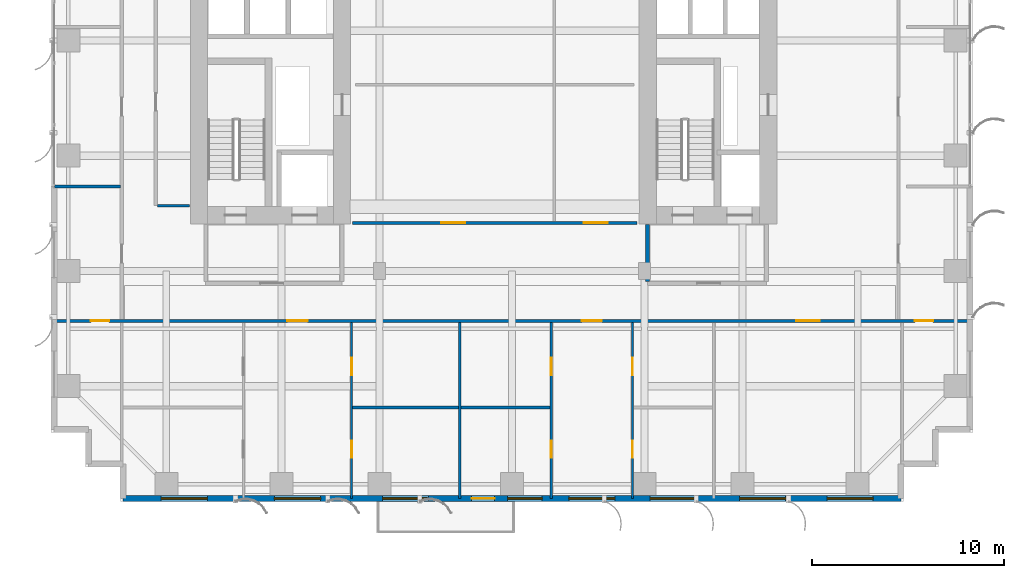
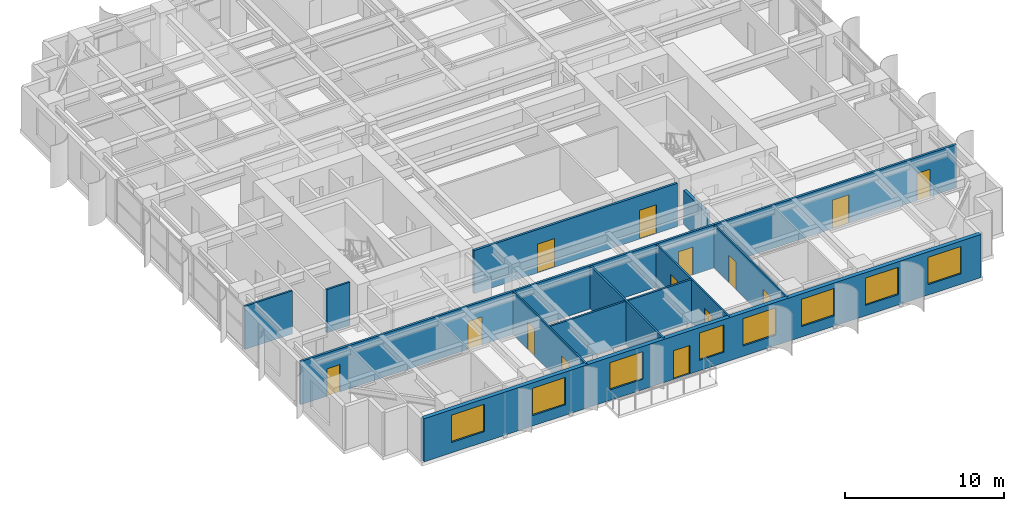
# One storey, part 10 of 18: 14 doors, 12 walls, 8 windows, 22 openings.
"""IFC4 building model written with IfcOpenShell, lengths in metres."""

from ifc_helpers import new_model, si_unit, direction, frame, frame_2d, origin, place, context, subcontext, project, spatial, rectangle, extrude, source, transform, mapped, material, layer, layer_set, type_object, element, fill, save


model = new_model("IFC4")

# Units and contexts
model_context = context("Model", 3, precision=1e-05, world=origin(), true_north=direction((0.0, 1.0)))
body_context = subcontext(model_context, "Body", "Model", "MODEL_VIEW")
ifc_project = project(units=[si_unit("LENGTHUNIT", "METRE"), si_unit("AREAUNIT", "SQUARE_METRE"), si_unit("VOLUMEUNIT", "CUBIC_METRE"), si_unit("PLANEANGLEUNIT", "RADIAN"), si_unit("MASSUNIT", "GRAM", prefix="KILO")], contexts=[model_context])

# Site, building, storey
site_placement = place(None, origin())
site = spatial("IfcSite", under=ifc_project, at=site_placement, CompositionType="ELEMENT")
building_placement = place(site_placement, origin())
building = spatial("IfcBuilding", under=site, at=building_placement, Name="Khoralis Quay Care Tower", CompositionType="ELEMENT")
storey_placement = place(building_placement, frame((0.0, 0.0, 47.699951171875)))
storey = spatial("IfcBuildingStorey", under=building, at=storey_placement, Name="L12", CompositionType="ELEMENT", Elevation=47.699951171875)

# Wall
ifc_material_1 = material(Name="Gypsum plasterboard on acoustic metal stud")
ifc_layer_1 = layer(ifc_material_1, 0.199951171875)
ifc_layer_set_1 = layer_set([ifc_layer_1], Name="Gypsum plasterboard on acoustic metal stud")
wall_type_1 = type_object("IfcWallType", Name="WL-COMP-200", PredefinedType="PARTITIONING", material=ifc_layer_set_1)
wall_1_placement = place(storey_placement, frame((31.050048828125, 11.445068359375, 0.0), z_axis=(0.0, 0.0, 1.0), x_axis=(0.0, 1.0, 0.0)))
element("IfcWall", 1, at=wall_1_placement, inside=storey, type_object=wall_type_1, Name="L12 East Firefighting Lobby West Wall", PredefinedType="PARTITIONING", context=body_context, shape_type="SweptSolid", body=[
    extrude(rectangle(XDim=2.98486328125, YDim=0.199951171875, at=frame_2d((1.492431640625, 0.0))), origin(), (0.0, 0.0, 1.0), 2.625),
])

# Wall, openings, doors
ifc_layer_2 = layer(ifc_material_1, 0.1650390625)
ifc_layer_set_2 = layer_set([ifc_layer_2], Name="Gypsum plasterboard on acoustic metal stud")
wall_type_2 = type_object("IfcWallType", Name="WL-CORR-165", PredefinedType="PARTITIONING", material=ifc_layer_set_2)
wall_2_placement = place(storey_placement, frame((0.14501953125, 9.39990234375, 0.0), z_axis=(0.0, 0.0, 1.0), x_axis=(1.0, 0.0, 0.0)))
wall_2 = element("IfcWall", 2, at=wall_2_placement, inside=storey, type_object=wall_type_2, Name="L12 South Main Corridor Wall", PredefinedType="PARTITIONING", context=body_context, shape_type="SweptSolid", body=[
    extrude(rectangle(XDim=47.7099609375, YDim=0.1650390625, at=frame_2d((23.85498046875, 0.0))), origin(), (0.0, 0.0, 1.0), 3.320068359375),
])
opening_1_placement = place(wall_2_placement, frame((12.162109375, 0.0, 0.0)))
opening_1 = element("IfcOpeningElement", 3, at=opening_1_placement, cuts=wall_2, Name="Opening UD1", PredefinedType="OPENING", context=body_context, shape_type="SweptSolid", body=[
    extrude(rectangle(XDim=1.050048828125, YDim=2.14990234375, at=frame_2d((0.52490234375, 1.074951171875))), frame((0.0, 0.092529296875, 0.0), z_axis=(0.0, -1.0, 0.0), x_axis=(1.0, 0.0, 0.0)), (0.0, 0.0, 1.0), 0.18505859375),
])
opening_2_placement = place(wall_2_placement, frame((27.489501953125, 0.0, 0.0)))
opening_2 = element("IfcOpeningElement", 4, at=opening_2_placement, cuts=wall_2, Name="Opening UD1", PredefinedType="OPENING", context=body_context, shape_type="SweptSolid", body=[
    extrude(rectangle(XDim=1.050048828125, YDim=2.14990234375, at=frame_2d((0.52490234375, 1.074951171875))), frame((0.0, 0.092529296875, 0.0), z_axis=(0.0, -1.0, 0.0), x_axis=(1.0, 0.0, 0.0)), (0.0, 0.0, 1.0), 0.18505859375),
])
opening_3_placement = place(wall_2_placement, frame((38.669921875, 0.0, 0.0)))
opening_3 = element("IfcOpeningElement", 5, at=opening_3_placement, cuts=wall_2, Name="Opening FD1", PredefinedType="OPENING", context=body_context, shape_type="SweptSolid", body=[
    extrude(rectangle(XDim=1.199951171875, YDim=2.199951171875, at=frame_2d((0.60009765625, 1.10009765625))), frame((0.0, 0.092529296875, 0.0), z_axis=(0.0, -1.0, 0.0), x_axis=(1.0, 0.0, 0.0)), (0.0, 0.0, 1.0), 0.18505859375),
])
opening_4_placement = place(wall_2_placement, frame((1.919921875, 0.0, 0.0)))
opening_4 = element("IfcOpeningElement", 6, at=opening_4_placement, cuts=wall_2, Name="Opening ID1", PredefinedType="OPENING", context=body_context, shape_type="SweptSolid", body=[
    extrude(rectangle(XDim=0.949951171875, YDim=2.10009765625, at=frame_2d((0.47509765625, 1.050048828125))), frame((0.0, 0.092529296875, 0.0), z_axis=(0.0, -1.0, 0.0), x_axis=(1.0, 0.0, 0.0)), (0.0, 0.0, 1.0), 0.18505859375),
])
opening_5_placement = place(wall_2_placement, frame((44.840087890625, 0.0, 0.0)))
opening_5 = element("IfcOpeningElement", 7, at=opening_5_placement, cuts=wall_2, Name="Opening ID1", PredefinedType="OPENING", context=body_context, shape_type="SweptSolid", body=[
    extrude(rectangle(XDim=0.949951171875, YDim=2.10009765625, at=frame_2d((0.47509765625, 1.050048828125))), frame((0.0, 0.092529296875, 0.0), z_axis=(0.0, -1.0, 0.0), x_axis=(1.0, 0.0, 0.0)), (0.0, 0.0, 1.0), 0.18505859375),
])
ifc_material_2 = material(Name="Fire-rated painted steel", Category="steel")
door_type_1 = type_object("IfcDoorType", Name="DR-FFL-1200X2200", OperationType="NOTDEFINED", PredefinedType="DOOR", material=ifc_material_2)
shared_shape_1 = source(origin(), body_context, "Body", "SweptSolid", [
    extrude(rectangle(XDim=1.199951171875, YDim=2.199951171875, at=frame_2d((0.60009765625, 1.10009765625))), frame((0.0, 0.02490234375, 0.0), z_axis=(0.0, -1.0, 0.0), x_axis=(1.0, 0.0, 0.0)), (0.0, 0.0, 1.0), 0.050048828125),
])
door_1_placement = place(opening_3_placement, frame((1.199951171875, 0.0, 0.0), z_axis=(0.0, 0.0, 1.0), x_axis=(-1.0, 0.0, 0.0)))
door_1 = element("IfcDoor", 8, at=door_1_placement, inside=storey, type_object=door_type_1, Name="L12 Resident Communal Day Lounge Door", OperationType="DOUBLE_DOOR_SINGLE_SWING", OverallHeight=2.199951171875, OverallWidth=1.199951171875, PredefinedType="DOOR", context=body_context, shape_type="MappedRepresentation", body=[
    mapped(shared_shape_1, transform((0.0, 0.0, 0.0), scale=1.0)),
])
fill(opening_3, door_1)
ifc_material_3 = material(Name="Acoustic hardwood timber", Category="wood")
door_type_2 = type_object("IfcDoorType", Name="DR-ROOM-950X2100", OperationType="NOTDEFINED", PredefinedType="DOOR", material=ifc_material_3)
shared_shape_2 = source(origin(), body_context, "Body", "SweptSolid", [
    extrude(rectangle(XDim=0.949951171875, YDim=2.10009765625, at=frame_2d((0.47509765625, 1.050048828125))), frame((0.0, 0.02490234375, 0.0), z_axis=(0.0, -1.0, 0.0), x_axis=(1.0, 0.0, 0.0)), (0.0, 0.0, 1.0), 0.050048828125),
])
door_2_placement = place(opening_4_placement, frame((0.949951171875, 0.0, 0.0), z_axis=(0.0, 0.0, 1.0), x_axis=(-1.0, 0.0, 0.0)))
door_2 = element("IfcDoor", 9, at=door_2_placement, inside=storey, type_object=door_type_2, Name="L12 SW Corner Door", OperationType="SINGLE_SWING_LEFT", OverallHeight=2.10009765625, OverallWidth=0.949951171875, PredefinedType="DOOR", context=body_context, shape_type="MappedRepresentation", body=[
    mapped(shared_shape_2, transform((0.0, 0.0, 0.0), scale=1.0)),
])
fill(opening_4, door_2)
door_3_placement = place(opening_5_placement, frame((0.949951171875, 0.0, 0.0), z_axis=(0.0, 0.0, 1.0), x_axis=(-1.0, 0.0, 0.0)))
door_3 = element("IfcDoor", 10, at=door_3_placement, inside=storey, type_object=door_type_2, Name="L12 SE Corner Door", OperationType="SINGLE_SWING_RIGHT", OverallHeight=2.10009765625, OverallWidth=0.949951171875, PredefinedType="DOOR", context=body_context, shape_type="MappedRepresentation", body=[
    mapped(shared_shape_2, transform((0.0, 0.0, 0.0), scale=1.0)),
])
fill(opening_5, door_3)
door_type_3 = type_object("IfcDoorType", Name="DR-SUITE-1050X2150", OperationType="NOTDEFINED", PredefinedType="DOOR", material=ifc_material_3)
shared_shape_3 = source(origin(), body_context, "Body", "SweptSolid", [
    extrude(rectangle(XDim=1.050048828125, YDim=2.14990234375, at=frame_2d((0.52490234375, 1.074951171875))), frame((0.0, 0.02490234375, 0.0), z_axis=(0.0, -1.0, 0.0), x_axis=(1.0, 0.0, 0.0)), (0.0, 0.0, 1.0), 0.050048828125),
])
door_4_placement = place(opening_1_placement, frame((1.050048828125, 0.0, 0.0), z_axis=(0.0, 0.0, 1.0), x_axis=(-1.0, 0.0, 0.0)))
door_4 = element("IfcDoor", 11, at=door_4_placement, inside=storey, type_object=door_type_3, Name="L12 2BR SB0 Entrance", OperationType="SINGLE_SWING_RIGHT", OverallHeight=2.14990234375, OverallWidth=1.050048828125, PredefinedType="DOOR", context=body_context, shape_type="MappedRepresentation", body=[
    mapped(shared_shape_3, transform((0.0, 0.0, 0.0), scale=1.0)),
])
fill(opening_1, door_4)
door_5_placement = place(opening_2_placement, frame((1.050048828125, 0.0, 0.0), z_axis=(0.0, 0.0, 1.0), x_axis=(-1.0, 0.0, 0.0)))
door_5 = element("IfcDoor", 12, at=door_5_placement, inside=storey, type_object=door_type_3, Name="L12 2BR SB1 Entrance", OperationType="SINGLE_SWING_LEFT", OverallHeight=2.14990234375, OverallWidth=1.050048828125, PredefinedType="DOOR", context=body_context, shape_type="MappedRepresentation", body=[
    mapped(shared_shape_3, transform((0.0, 0.0, 0.0), scale=1.0)),
])
fill(opening_2, door_5)

wall_3_placement = place(storey_placement, frame((15.699951171875, 14.5, 0.0), z_axis=(0.0, 0.0, 1.0), x_axis=(1.0, 0.0, 0.0)))
wall_3 = element("IfcWall", 13, at=wall_3_placement, inside=storey, type_object=wall_type_2, Name="L12 Central Clinical South Wall", PredefinedType="PARTITIONING", context=body_context, shape_type="SweptSolid", body=[
    extrude(rectangle(XDim=14.800048828125, YDim=0.1650390625, at=frame_2d((7.39990234375, 0.0))), origin(), (0.0, 0.0, 1.0), 3.320068359375),
])
opening_6_placement = place(wall_3_placement, frame((4.625, 0.0, 0.0)))
opening_6 = element("IfcOpeningElement", 14, at=opening_6_placement, cuts=wall_3, Name="Opening CD1", PredefinedType="OPENING", context=body_context, shape_type="SweptSolid", body=[
    extrude(rectangle(XDim=1.25, YDim=2.199951171875, at=frame_2d((0.625, 1.10009765625))), frame((0.0, 0.092529296875, 0.0), z_axis=(0.0, -1.0, 0.0), x_axis=(1.0, 0.0, 0.0)), (0.0, 0.0, 1.0), 0.18505859375),
])
opening_7_placement = place(wall_3_placement, frame((12.02490234375, 0.0, 0.0)))
opening_7 = element("IfcOpeningElement", 15, at=opening_7_placement, cuts=wall_3, Name="Opening CD1", PredefinedType="OPENING", context=body_context, shape_type="SweptSolid", body=[
    extrude(rectangle(XDim=1.25, YDim=2.199951171875, at=frame_2d((0.625, 1.10009765625))), frame((0.0, 0.092529296875, 0.0), z_axis=(0.0, -1.0, 0.0), x_axis=(1.0, 0.0, 0.0)), (0.0, 0.0, 1.0), 0.18505859375),
])
door_type_4 = type_object("IfcDoorType", Name="DR-CARE-1250X2200", OperationType="NOTDEFINED", PredefinedType="DOOR", material=ifc_material_3)
shared_shape_4 = source(origin(), body_context, "Body", "SweptSolid", [
    extrude(rectangle(XDim=1.25, YDim=2.199951171875, at=frame_2d((0.625, 1.10009765625))), frame((0.0, 0.02490234375, 0.0), z_axis=(0.0, -1.0, 0.0), x_axis=(1.0, 0.0, 0.0)), (0.0, 0.0, 1.0), 0.050048828125),
])
door_6_placement = place(opening_6_placement, origin())
door_6 = element("IfcDoor", 16, at=door_6_placement, inside=storey, type_object=door_type_4, Name="L12 Nurse Station Door", OperationType="SINGLE_SWING_LEFT", OverallHeight=2.199951171875, OverallWidth=1.25, PredefinedType="DOOR", context=body_context, shape_type="MappedRepresentation", body=[
    mapped(shared_shape_4, transform((0.0, 0.0, 0.0), scale=1.0)),
])
fill(opening_6, door_6)
door_7_placement = place(opening_7_placement, origin())
door_7 = element("IfcDoor", 17, at=door_7_placement, inside=storey, type_object=door_type_4, Name="L12 Treatment Clinic Door", OperationType="SINGLE_SWING_RIGHT", OverallHeight=2.199951171875, OverallWidth=1.25, PredefinedType="DOOR", context=body_context, shape_type="MappedRepresentation", body=[
    mapped(shared_shape_4, transform((0.0, 0.0, 0.0), scale=1.0)),
])
fill(opening_7, door_7)

# Wall, openings, windows, door
ifc_material_4 = material(Name="Precast concrete C45/55", Category="concrete")
ifc_layer_3 = layer(ifc_material_4, 0.300048828125)
ifc_layer_set_3 = layer_set([ifc_layer_3], Name="Precast concrete C45/55")
wall_type_3 = type_object("IfcWallType", Name="WL-EXT-REF-300", PredefinedType="SOLIDWALL", material=ifc_layer_set_3)
wall_4_placement = place(storey_placement, frame((3.75, 0.14990234375, 0.0), z_axis=(0.0, 0.0, 1.0), x_axis=(1.0, 0.0, 0.0)))
wall_4 = element("IfcWall", 18, at=wall_4_placement, inside=storey, type_object=wall_type_3, Name="L12 External Facade Wall WL-EXT-L12-P1-E0", PredefinedType="SOLIDWALL", context=body_context, shape_type="SweptSolid", body=[
    extrude(rectangle(XDim=40.5, YDim=0.300048828125, at=frame_2d((20.25, 0.0))), origin(), (0.0, 0.0, 1.0), 3.320068359375),
])
opening_8_placement = place(wall_4_placement, frame((1.98291015625, 0.0, 0.800048828125)))
opening_8 = element("IfcOpeningElement", 19, at=opening_8_placement, cuts=wall_4, Name="Opening W1", PredefinedType="OPENING", context=body_context, shape_type="SweptSolid", body=[
    extrude(rectangle(XDim=2.39990234375, YDim=2.10009765625, at=frame_2d((1.199951171875, 1.050048828125))), frame((0.0, 0.16015625, 0.0), z_axis=(0.0, -1.0, 0.0), x_axis=(1.0, 0.0, 0.0)), (0.0, 0.0, 1.0), 0.320068359375),
])
opening_9_placement = place(wall_4_placement, frame((7.882080078125, 0.0, 0.800048828125)))
opening_9 = element("IfcOpeningElement", 20, at=opening_9_placement, cuts=wall_4, Name="Opening W1", PredefinedType="OPENING", context=body_context, shape_type="SweptSolid", body=[
    extrude(rectangle(XDim=2.39990234375, YDim=2.10009765625, at=frame_2d((1.199951171875, 1.050048828125))), frame((0.0, 0.16015625, 0.0), z_axis=(0.0, -1.0, 0.0), x_axis=(1.0, 0.0, 0.0)), (0.0, 0.0, 1.0), 0.320068359375),
])
opening_10_placement = place(wall_4_placement, frame((13.513916015625, 0.0, 0.800048828125)))
opening_10 = element("IfcOpeningElement", 21, at=opening_10_placement, cuts=wall_4, Name="Opening W1", PredefinedType="OPENING", context=body_context, shape_type="SweptSolid", body=[
    extrude(rectangle(XDim=2.39990234375, YDim=2.10009765625, at=frame_2d((1.199951171875, 1.050048828125))), frame((0.0, 0.16015625, 0.0), z_axis=(0.0, -1.0, 0.0), x_axis=(1.0, 0.0, 0.0)), (0.0, 0.0, 1.0), 0.320068359375),
])
opening_11_placement = place(wall_4_placement, frame((20.0166015625, 0.0, 0.800048828125)))
opening_11 = element("IfcOpeningElement", 22, at=opening_11_placement, cuts=wall_4, Name="Opening W2", PredefinedType="OPENING", context=body_context, shape_type="SweptSolid", body=[
    extrude(rectangle(XDim=1.800048828125, YDim=2.10009765625, at=frame_2d((0.89990234375, 1.050048828125))), frame((0.0, 0.16015625, 0.0), z_axis=(0.0, -1.0, 0.0), x_axis=(1.0, 0.0, 0.0)), (0.0, 0.0, 1.0), 0.320068359375),
])
opening_12_placement = place(wall_4_placement, frame((23.20947265625, 0.0, 0.800048828125)))
opening_12 = element("IfcOpeningElement", 23, at=opening_12_placement, cuts=wall_4, Name="Opening W1", PredefinedType="OPENING", context=body_context, shape_type="SweptSolid", body=[
    extrude(rectangle(XDim=2.39990234375, YDim=2.10009765625, at=frame_2d((1.199951171875, 1.050048828125))), frame((0.0, 0.16015625, 0.0), z_axis=(0.0, -1.0, 0.0), x_axis=(1.0, 0.0, 0.0)), (0.0, 0.0, 1.0), 0.320068359375),
])
opening_13_placement = place(wall_4_placement, frame((27.443115234375, 0.0, 0.800048828125)))
opening_13 = element("IfcOpeningElement", 24, at=opening_13_placement, cuts=wall_4, Name="Opening W1", PredefinedType="OPENING", context=body_context, shape_type="SweptSolid", body=[
    extrude(rectangle(XDim=2.39990234375, YDim=2.10009765625, at=frame_2d((1.199951171875, 1.050048828125))), frame((0.0, 0.16015625, 0.0), z_axis=(0.0, -1.0, 0.0), x_axis=(1.0, 0.0, 0.0)), (0.0, 0.0, 1.0), 0.320068359375),
])
opening_14_placement = place(wall_4_placement, frame((32.10009765625, 0.0, 0.800048828125)))
opening_14 = element("IfcOpeningElement", 25, at=opening_14_placement, cuts=wall_4, Name="Opening W1", PredefinedType="OPENING", context=body_context, shape_type="SweptSolid", body=[
    extrude(rectangle(XDim=2.39990234375, YDim=2.10009765625, at=frame_2d((1.199951171875, 1.050048828125))), frame((0.0, 0.16015625, 0.0), z_axis=(0.0, -1.0, 0.0), x_axis=(1.0, 0.0, 0.0)), (0.0, 0.0, 1.0), 0.320068359375),
])
opening_15_placement = place(wall_4_placement, frame((36.659912109375, 0.0, 0.800048828125)))
opening_15 = element("IfcOpeningElement", 26, at=opening_15_placement, cuts=wall_4, Name="Opening W1", PredefinedType="OPENING", context=body_context, shape_type="SweptSolid", body=[
    extrude(rectangle(XDim=2.39990234375, YDim=2.10009765625, at=frame_2d((1.199951171875, 1.050048828125))), frame((0.0, 0.16015625, 0.0), z_axis=(0.0, -1.0, 0.0), x_axis=(1.0, 0.0, 0.0)), (0.0, 0.0, 1.0), 0.320068359375),
])
opening_16_placement = place(wall_4_placement, frame((18.14990234375, 0.0, 0.0)))
opening_16 = element("IfcOpeningElement", 27, at=opening_16_placement, cuts=wall_4, Name="Opening BD1", PredefinedType="OPENING", context=body_context, shape_type="SweptSolid", body=[
    extrude(rectangle(XDim=1.199951171875, YDim=2.199951171875, at=frame_2d((0.60009765625, 1.10009765625))), frame((0.0, 0.16015625, 0.0), z_axis=(0.0, -1.0, 0.0), x_axis=(1.0, 0.0, 0.0)), (0.0, 0.0, 1.0), 0.320068359375),
])
ifc_material_5 = material(Name="Low-E solar-control double glazing", Category="glass")
window_type_1 = type_object("IfcWindowType", Name="WN-POD-2400X2100", PartitioningType="SINGLE_PANEL", PredefinedType="WINDOW", material=ifc_material_5)
shared_shape_5 = source(origin(), body_context, "Body", "SweptSolid", [
    extrude(rectangle(XDim=2.39990234375, YDim=2.10009765625, at=frame_2d((1.199951171875, 1.050048828125))), frame((0.0, 0.030029296875, 0.0), z_axis=(0.0, -1.0, 0.0), x_axis=(1.0, 0.0, 0.0)), (0.0, 0.0, 1.0), 0.06005859375),
])
window_1_placement = place(opening_8_placement, origin())
window_1 = element("IfcWindow", 28, at=window_1_placement, inside=storey, type_object=window_type_1, Name="WN-L12-P1-E0 Facade Window 01", OverallHeight=2.10009765625, OverallWidth=2.39990234375, PartitioningType="SINGLE_PANEL", PredefinedType="WINDOW", context=body_context, shape_type="MappedRepresentation", body=[
    mapped(shared_shape_5, transform((0.0, 0.0, 0.0), scale=1.0)),
])
fill(opening_8, window_1)
window_2_placement = place(opening_9_placement, origin())
window_2 = element("IfcWindow", 29, at=window_2_placement, inside=storey, type_object=window_type_1, Name="WN-L12-P1-E0 Facade Window 02", OverallHeight=2.10009765625, OverallWidth=2.39990234375, PartitioningType="SINGLE_PANEL", PredefinedType="WINDOW", context=body_context, shape_type="MappedRepresentation", body=[
    mapped(shared_shape_5, transform((0.0, 0.0, 0.0), scale=1.0)),
])
fill(opening_9, window_2)
window_3_placement = place(opening_10_placement, origin())
window_3 = element("IfcWindow", 30, at=window_3_placement, inside=storey, type_object=window_type_1, Name="WN-L12-P1-E0 Facade Window 03", OverallHeight=2.10009765625, OverallWidth=2.39990234375, PartitioningType="SINGLE_PANEL", PredefinedType="WINDOW", context=body_context, shape_type="MappedRepresentation", body=[
    mapped(shared_shape_5, transform((0.0, 0.0, 0.0), scale=1.0)),
])
fill(opening_10, window_3)
window_4_placement = place(opening_12_placement, origin())
window_4 = element("IfcWindow", 31, at=window_4_placement, inside=storey, type_object=window_type_1, Name="WN-L12-P1-E0 Facade Window 05", OverallHeight=2.10009765625, OverallWidth=2.39990234375, PartitioningType="SINGLE_PANEL", PredefinedType="WINDOW", context=body_context, shape_type="MappedRepresentation", body=[
    mapped(shared_shape_5, transform((0.0, 0.0, 0.0), scale=1.0)),
])
fill(opening_12, window_4)
window_5_placement = place(opening_13_placement, origin())
window_5 = element("IfcWindow", 32, at=window_5_placement, inside=storey, type_object=window_type_1, Name="WN-L12-P1-E0 Facade Window 06", OverallHeight=2.10009765625, OverallWidth=2.39990234375, PartitioningType="SINGLE_PANEL", PredefinedType="WINDOW", context=body_context, shape_type="MappedRepresentation", body=[
    mapped(shared_shape_5, transform((0.0, 0.0, 0.0), scale=1.0)),
])
fill(opening_13, window_5)
window_6_placement = place(opening_14_placement, origin())
window_6 = element("IfcWindow", 33, at=window_6_placement, inside=storey, type_object=window_type_1, Name="WN-L12-P1-E0 Facade Window 07", OverallHeight=2.10009765625, OverallWidth=2.39990234375, PartitioningType="SINGLE_PANEL", PredefinedType="WINDOW", context=body_context, shape_type="MappedRepresentation", body=[
    mapped(shared_shape_5, transform((0.0, 0.0, 0.0), scale=1.0)),
])
fill(opening_14, window_6)
window_7_placement = place(opening_15_placement, origin())
window_7 = element("IfcWindow", 34, at=window_7_placement, inside=storey, type_object=window_type_1, Name="WN-L12-P1-E0 Facade Window 08", OverallHeight=2.10009765625, OverallWidth=2.39990234375, PartitioningType="SINGLE_PANEL", PredefinedType="WINDOW", context=body_context, shape_type="MappedRepresentation", body=[
    mapped(shared_shape_5, transform((0.0, 0.0, 0.0), scale=1.0)),
])
fill(opening_15, window_7)
window_type_2 = type_object("IfcWindowType", Name="WN-POD-1800X2100", PartitioningType="SINGLE_PANEL", PredefinedType="WINDOW", material=ifc_material_5)
shared_shape_6 = source(origin(), body_context, "Body", "SweptSolid", [
    extrude(rectangle(XDim=1.800048828125, YDim=2.10009765625, at=frame_2d((0.89990234375, 1.050048828125))), frame((0.0, 0.030029296875, 0.0), z_axis=(0.0, -1.0, 0.0), x_axis=(1.0, 0.0, 0.0)), (0.0, 0.0, 1.0), 0.06005859375),
])
window_8_placement = place(opening_11_placement, origin())
window_8 = element("IfcWindow", 35, at=window_8_placement, inside=storey, type_object=window_type_2, Name="WN-L12-P1-E0 Facade Window 04", OverallHeight=2.10009765625, OverallWidth=1.800048828125, PartitioningType="SINGLE_PANEL", PredefinedType="WINDOW", context=body_context, shape_type="MappedRepresentation", body=[
    mapped(shared_shape_6, transform((0.0, 0.0, 0.0), scale=1.0)),
])
fill(opening_11, window_8)
ifc_material_6 = material(Name="Anodised aluminium and laminated safety glass", Category="aluminium")
door_type_5 = type_object("IfcDoorType", Name="DR-EXT-BALC-1200X2200", OperationType="NOTDEFINED", PredefinedType="DOOR", material=ifc_material_6)
shared_shape_7 = source(origin(), body_context, "Body", "SweptSolid", [
    extrude(rectangle(XDim=1.199951171875, YDim=2.199951171875, at=frame_2d((0.60009765625, 1.10009765625))), frame((0.0, 0.02490234375, 0.0), z_axis=(0.0, -1.0, 0.0), x_axis=(1.0, 0.0, 0.0)), (0.0, 0.0, 1.0), 0.050048828125),
])
door_8_placement = place(opening_16_placement, frame((1.199951171875, 0.0, 0.0), z_axis=(0.0, 0.0, 1.0), x_axis=(-1.0, 0.0, 0.0)))
door_8 = element("IfcDoor", 36, at=door_8_placement, inside=storey, type_object=door_type_5, Name="L12 Senior Loggia Balcony Door", OperationType="SINGLE_SWING_LEFT", OverallHeight=2.199951171875, OverallWidth=1.199951171875, PredefinedType="DOOR", context=body_context, shape_type="MappedRepresentation", body=[
    mapped(shared_shape_7, transform((0.0, 0.0, 0.0), scale=1.0)),
])
fill(opening_16, door_8)

# Wall, openings, doors
ifc_layer_4 = layer(ifc_material_1, 0.114990234375)
ifc_layer_set_4 = layer_set([ifc_layer_4], Name="Gypsum plasterboard on acoustic metal stud")
wall_type_4 = type_object("IfcWallType", Name="WL-PART-115", PredefinedType="PARTITIONING", material=ifc_layer_set_4)
wall_5_placement = place(storey_placement, frame((15.64794921875, 0.14501953125, 0.0), z_axis=(0.0, 0.0, 1.0), x_axis=(0.0, 1.0, 0.0)))
wall_5 = element("IfcWall", 37, at=wall_5_placement, inside=storey, type_object=wall_type_4, Name="L12 2BR 0 Right Wall", PredefinedType="PARTITIONING", context=body_context, shape_type="SweptSolid", body=[
    extrude(rectangle(XDim=9.177490234375, YDim=0.114990234375, at=frame_2d((4.5888671875, 0.0))), origin(), (0.0, 0.0, 1.0), 3.320068359375),
])
opening_17_placement = place(wall_5_placement, frame((2.1240234375, 0.0, 0.0)))
opening_17 = element("IfcOpeningElement", 38, at=opening_17_placement, cuts=wall_5, Name="Opening WD1", PredefinedType="OPENING", context=body_context, shape_type="SweptSolid", body=[
    extrude(rectangle(XDim=0.89990234375, YDim=2.10009765625, at=frame_2d((0.449951171875, 1.050048828125))), frame((0.0, 0.0673828125, 0.0), z_axis=(0.0, -1.0, 0.0), x_axis=(1.0, 0.0, 0.0)), (0.0, 0.0, 1.0), 0.135009765625),
])
opening_18_placement = place(wall_5_placement, frame((6.43408203125, 0.0, 0.0)))
opening_18 = element("IfcOpeningElement", 39, at=opening_18_placement, cuts=wall_5, Name="Opening WD1", PredefinedType="OPENING", context=body_context, shape_type="SweptSolid", body=[
    extrude(rectangle(XDim=0.89990234375, YDim=2.10009765625, at=frame_2d((0.449951171875, 1.050048828125))), frame((0.0, 0.0673828125, 0.0), z_axis=(0.0, -1.0, 0.0), x_axis=(1.0, 0.0, 0.0)), (0.0, 0.0, 1.0), 0.135009765625),
])
door_type_6 = type_object("IfcDoorType", Name="DR-BATH-900X2100", OperationType="NOTDEFINED", PredefinedType="DOOR", material=ifc_material_3)
shared_shape_8 = source(origin(), body_context, "Body", "SweptSolid", [
    extrude(rectangle(XDim=0.89990234375, YDim=2.10009765625, at=frame_2d((0.449951171875, 1.050048828125))), frame((0.0, 0.02490234375, 0.0), z_axis=(0.0, -1.0, 0.0), x_axis=(1.0, 0.0, 0.0)), (0.0, 0.0, 1.0), 0.050048828125),
])
door_9_placement = place(opening_17_placement, frame((0.89990234375, 0.0, 0.0), z_axis=(0.0, 0.0, 1.0), x_axis=(-1.0, 0.0, 0.0)))
door_9 = element("IfcDoor", 40, at=door_9_placement, inside=storey, type_object=door_type_6, Name="L12 2BR BD2 Door", OperationType="SINGLE_SWING_LEFT", OverallHeight=2.10009765625, OverallWidth=0.89990234375, PredefinedType="DOOR", context=body_context, shape_type="MappedRepresentation", body=[
    mapped(shared_shape_8, transform((0.0, 0.0, 0.0), scale=1.0)),
])
fill(opening_17, door_9)
door_10_placement = place(opening_18_placement, frame((0.89990234375, 0.0, 0.0), z_axis=(0.0, 0.0, 1.0), x_axis=(-1.0, 0.0, 0.0)))
door_10 = element("IfcDoor", 41, at=door_10_placement, inside=storey, type_object=door_type_6, Name="L12 2BR KIT Door", OperationType="SINGLE_SWING_RIGHT", OverallHeight=2.10009765625, OverallWidth=0.89990234375, PredefinedType="DOOR", context=body_context, shape_type="MappedRepresentation", body=[
    mapped(shared_shape_8, transform((0.0, 0.0, 0.0), scale=1.0)),
])
fill(opening_18, door_10)

wall_6_placement = place(storey_placement, frame((26.04296875, 0.14501953125, 0.0), z_axis=(0.0, 0.0, 1.0), x_axis=(0.0, 1.0, 0.0)))
wall_6 = element("IfcWall", 42, at=wall_6_placement, inside=storey, type_object=wall_type_4, Name="L12 2BR 1 Left Wall", PredefinedType="PARTITIONING", context=body_context, shape_type="SweptSolid", body=[
    extrude(rectangle(XDim=9.177490234375, YDim=0.114990234375, at=frame_2d((4.5888671875, 0.0))), origin(), (0.0, 0.0, 1.0), 3.320068359375),
])
opening_19_placement = place(wall_6_placement, frame((2.1240234375, 0.0, 0.0)))
opening_19 = element("IfcOpeningElement", 43, at=opening_19_placement, cuts=wall_6, Name="Opening WD1", PredefinedType="OPENING", context=body_context, shape_type="SweptSolid", body=[
    extrude(rectangle(XDim=0.89990234375, YDim=2.10009765625, at=frame_2d((0.449951171875, 1.050048828125))), frame((0.0, 0.0673828125, 0.0), z_axis=(0.0, -1.0, 0.0), x_axis=(1.0, 0.0, 0.0)), (0.0, 0.0, 1.0), 0.135009765625),
])
opening_20_placement = place(wall_6_placement, frame((6.43408203125, 0.0, 0.0)))
opening_20 = element("IfcOpeningElement", 44, at=opening_20_placement, cuts=wall_6, Name="Opening WD1", PredefinedType="OPENING", context=body_context, shape_type="SweptSolid", body=[
    extrude(rectangle(XDim=0.89990234375, YDim=2.10009765625, at=frame_2d((0.449951171875, 1.050048828125))), frame((0.0, 0.0673828125, 0.0), z_axis=(0.0, -1.0, 0.0), x_axis=(1.0, 0.0, 0.0)), (0.0, 0.0, 1.0), 0.135009765625),
])
door_11_placement = place(opening_19_placement, origin())
door_11 = element("IfcDoor", 45, at=door_11_placement, inside=storey, type_object=door_type_6, Name="L12 2BR BD1 Door", OperationType="SINGLE_SWING_RIGHT", OverallHeight=2.10009765625, OverallWidth=0.89990234375, PredefinedType="DOOR", context=body_context, shape_type="MappedRepresentation", body=[
    mapped(shared_shape_8, transform((0.0, 0.0, 0.0), scale=1.0)),
])
fill(opening_19, door_11)
door_12_placement = place(opening_20_placement, origin())
door_12 = element("IfcDoor", 46, at=door_12_placement, inside=storey, type_object=door_type_6, Name="L12 2BR BTH Door", OperationType="SINGLE_SWING_LEFT", OverallHeight=2.10009765625, OverallWidth=0.89990234375, PredefinedType="DOOR", context=body_context, shape_type="MappedRepresentation", body=[
    mapped(shared_shape_8, transform((0.0, 0.0, 0.0), scale=1.0)),
])
fill(opening_20, door_12)

wall_7_placement = place(storey_placement, frame((30.27587890625, 0.14501953125, 0.0), z_axis=(0.0, 0.0, 1.0), x_axis=(0.0, 1.0, 0.0)))
wall_7 = element("IfcWall", 47, at=wall_7_placement, inside=storey, type_object=wall_type_4, Name="L12 2BR 1 Right Wall", PredefinedType="PARTITIONING", context=body_context, shape_type="SweptSolid", body=[
    extrude(rectangle(XDim=9.177490234375, YDim=0.114990234375, at=frame_2d((4.5888671875, 0.0))), origin(), (0.0, 0.0, 1.0), 3.320068359375),
])
opening_21_placement = place(wall_7_placement, frame((2.1240234375, 0.0, 0.0)))
opening_21 = element("IfcOpeningElement", 48, at=opening_21_placement, cuts=wall_7, Name="Opening WD1", PredefinedType="OPENING", context=body_context, shape_type="SweptSolid", body=[
    extrude(rectangle(XDim=0.89990234375, YDim=2.10009765625, at=frame_2d((0.449951171875, 1.050048828125))), frame((0.0, 0.0673828125, 0.0), z_axis=(0.0, -1.0, 0.0), x_axis=(1.0, 0.0, 0.0)), (0.0, 0.0, 1.0), 0.135009765625),
])
opening_22_placement = place(wall_7_placement, frame((6.43408203125, 0.0, 0.0)))
opening_22 = element("IfcOpeningElement", 49, at=opening_22_placement, cuts=wall_7, Name="Opening WD1", PredefinedType="OPENING", context=body_context, shape_type="SweptSolid", body=[
    extrude(rectangle(XDim=0.89990234375, YDim=2.10009765625, at=frame_2d((0.449951171875, 1.050048828125))), frame((0.0, 0.0673828125, 0.0), z_axis=(0.0, -1.0, 0.0), x_axis=(1.0, 0.0, 0.0)), (0.0, 0.0, 1.0), 0.135009765625),
])
door_13_placement = place(opening_21_placement, frame((0.89990234375, 0.0, 0.0), z_axis=(0.0, 0.0, 1.0), x_axis=(-1.0, 0.0, 0.0)))
door_13 = element("IfcDoor", 50, at=door_13_placement, inside=storey, type_object=door_type_6, Name="L12 2BR BD2 Door", OperationType="SINGLE_SWING_RIGHT", OverallHeight=2.10009765625, OverallWidth=0.89990234375, PredefinedType="DOOR", context=body_context, shape_type="MappedRepresentation", body=[
    mapped(shared_shape_8, transform((0.0, 0.0, 0.0), scale=1.0)),
])
fill(opening_21, door_13)
door_14_placement = place(opening_22_placement, frame((0.89990234375, 0.0, 0.0), z_axis=(0.0, 0.0, 1.0), x_axis=(-1.0, 0.0, 0.0)))
door_14 = element("IfcDoor", 51, at=door_14_placement, inside=storey, type_object=door_type_6, Name="L12 2BR KIT Door", OperationType="SINGLE_SWING_LEFT", OverallHeight=2.10009765625, OverallWidth=0.89990234375, PredefinedType="DOOR", context=body_context, shape_type="MappedRepresentation", body=[
    mapped(shared_shape_8, transform((0.0, 0.0, 0.0), scale=1.0)),
])
fill(opening_22, door_14)

# Walls
ifc_material_7 = material(Name="Moisture-resistant gypsum and ceramic tile")
ifc_layer_5 = layer(ifc_material_7, 0.280029296875)
ifc_layer_set_5 = layer_set([ifc_layer_5], Name="Moisture-resistant gypsum and ceramic tile")
wall_type_5 = type_object("IfcWallType", Name="WL-PLUMB-280", PredefinedType="PLUMBINGWALL", material=ifc_layer_set_5)
wall_8_placement = place(storey_placement, frame((15.700439453125, 4.887939453125, 0.0), z_axis=(0.0, 0.0, 1.0), x_axis=(1.0, 0.0, 0.0)))
element("IfcWall", 52, at=wall_8_placement, inside=storey, type_object=wall_type_5, Name="L12 2BR 0 Right Split", PredefinedType="PLUMBINGWALL", context=body_context, shape_type="SweptSolid", body=[
    extrude(rectangle(XDim=5.5146484375, YDim=0.139892578125, at=frame_2d((2.75732421875, 0.0))), origin(), (0.0, 0.0, 1.0), 3.320068359375),
])
wall_9_placement = place(storey_placement, frame((21.344970703125, 4.887939453125, 0.0), z_axis=(0.0, 0.0, 1.0), x_axis=(1.0, 0.0, 0.0)))
element("IfcWall", 53, at=wall_9_placement, inside=storey, type_object=wall_type_5, Name="L12 2BR 1 Left Split", PredefinedType="PLUMBINGWALL", context=body_context, shape_type="SweptSolid", body=[
    extrude(rectangle(XDim=4.6455078125, YDim=0.139892578125, at=frame_2d((2.32275390625, 0.0))), origin(), (0.0, 0.0, 1.0), 3.320068359375),
])
ifc_layer_6 = layer(ifc_material_1, 0.139892578125)
ifc_layer_set_6 = layer_set([ifc_layer_6], Name="Gypsum plasterboard on acoustic metal stud")
wall_type_6 = type_object("IfcWallType", Name="WL-UNIT-140", PredefinedType="PARTITIONING", material=ifc_layer_set_6)
wall_10_placement = place(storey_placement, frame((5.527587890625, 15.39990234375, 0.0), z_axis=(0.0, 0.0, 1.0), x_axis=(1.0, 0.0, 0.0)))
element("IfcWall", 54, at=wall_10_placement, inside=storey, type_object=wall_type_6, Name="L12 West Flank South Cap", PredefinedType="PARTITIONING", context=body_context, shape_type="SweptSolid", body=[
    extrude(rectangle(XDim=1.682373046875, YDim=0.139892578125, at=frame_2d((0.84130859375, 0.0))), origin(), (0.0, 0.0, 1.0), 3.320068359375),
])
wall_11_placement = place(storey_placement, frame((0.14501953125, 16.39990234375, 0.0), z_axis=(0.0, 0.0, 1.0), x_axis=(1.0, 0.0, 0.0)))
element("IfcWall", 55, at=wall_11_placement, inside=storey, type_object=wall_type_6, Name="L12 WW Divider 1", PredefinedType="PARTITIONING", context=body_context, shape_type="SweptSolid", body=[
    extrude(rectangle(XDim=3.45751953125, YDim=0.139892578125, at=frame_2d((1.728759765625, 0.0))), origin(), (0.0, 0.0, 1.0), 3.320068359375),
])
wall_12_placement = place(storey_placement, frame((21.280029296875, 0.14501953125, 0.0), z_axis=(0.0, 0.0, 1.0), x_axis=(0.0, 1.0, 0.0)))
element("IfcWall", 56, at=wall_12_placement, inside=storey, type_object=wall_type_6, Name="L12 SB Demising Wall 1", PredefinedType="PARTITIONING", context=body_context, shape_type="SweptSolid", body=[
    extrude(rectangle(XDim=9.177490234375, YDim=0.139892578125, at=frame_2d((4.5888671875, 0.0))), origin(), (0.0, 0.0, 1.0), 3.320068359375),
])

save(model, "model.ifc")
